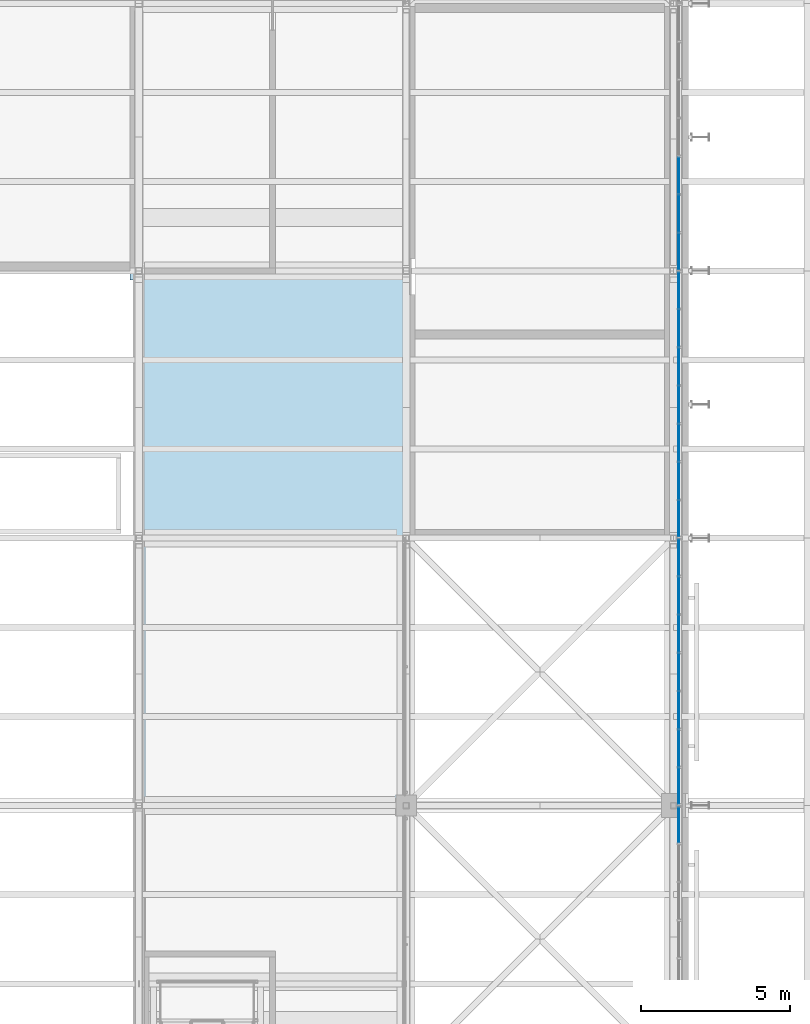
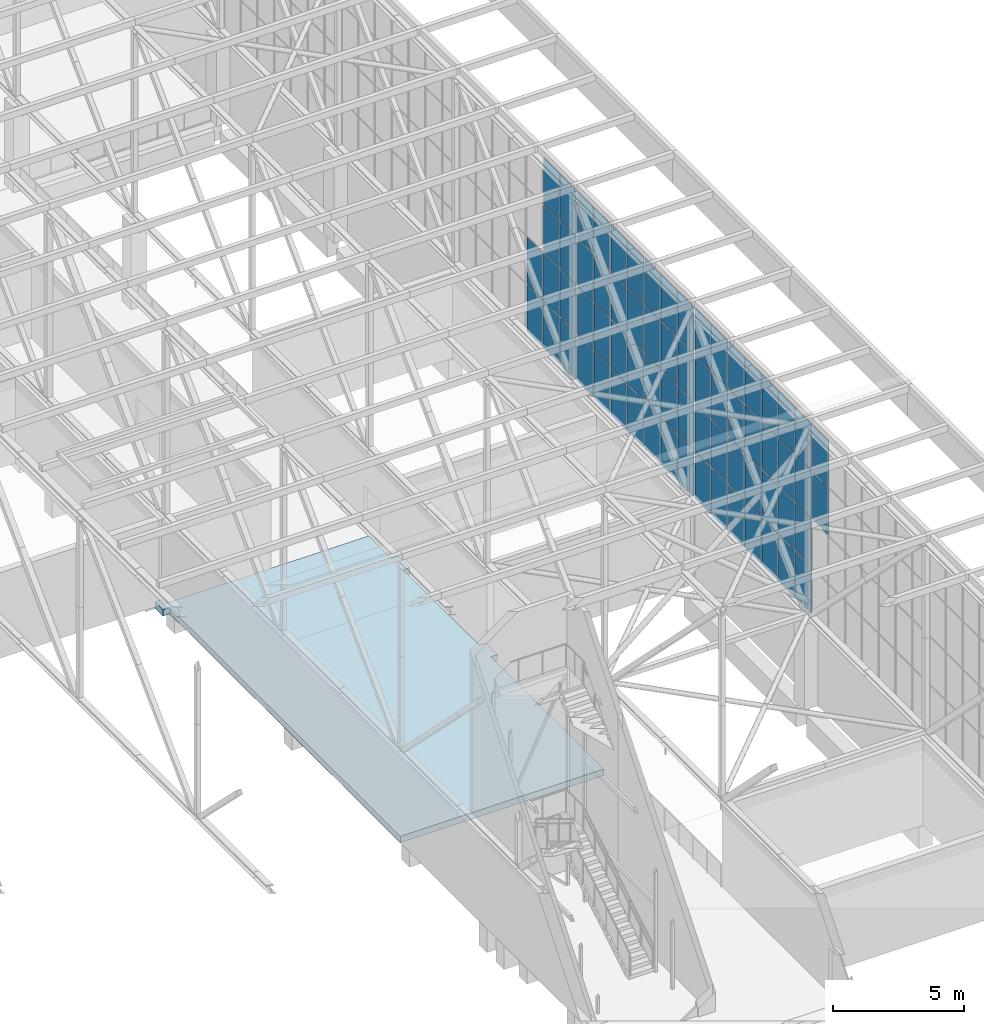
# One storey, part 156 of 646: 68 plates, 1 slab, 4 elements without a shape of their own.
"""IFC4 building model written with IfcOpenShell, lengths in metres."""

from ifc_helpers import new_model, si_unit, direction, frame, origin, origin_2d, place, context, subcontext, project, spatial, polyline, rectangle, outline, extrude, material, layer, layer_set, type_object, element, aggregate, save


model = new_model("IFC4")

# Units and contexts
model_context = context("Model", 3, precision=1e-05, world=origin(), true_north=direction((0.0, 1.0)))
body_context = subcontext(model_context, "Body", "Model", "MODEL_VIEW")
ifc_project = project(units=[si_unit("LENGTHUNIT", "METRE"), si_unit("AREAUNIT", "SQUARE_METRE"), si_unit("VOLUMEUNIT", "CUBIC_METRE"), si_unit("PLANEANGLEUNIT", "RADIAN"), si_unit("MASSUNIT", "GRAM", prefix="KILO")], contexts=[model_context])

# Site, building, storey
site_placement = place(None, origin())
site = spatial("IfcSite", under=ifc_project, at=site_placement, CompositionType="ELEMENT")
building_placement = place(site_placement, origin())
building = spatial("IfcBuilding", under=site, at=building_placement, Name="Silverbay Arena", CompositionType="ELEMENT")
storey_placement = place(building_placement, frame((0.0, 0.0, 33.5)))
storey = spatial("IfcBuildingStorey", under=building, at=storey_placement, Name="L05", CompositionType="ELEMENT", Elevation=33.5)

# Curtain wall, plates
ifc_material_1 = material(Name="Aluminium framed glazing", Category="aluminium")
curtain_wall_type = type_object("IfcCurtainWallType", Name="Curtain wall clerestory 9000 x 9000", PredefinedType="NOTDEFINED", material=ifc_material_1)
curtain_wall_1_placement = place(storey_placement, origin())
curtain_wall_1 = element("IfcCurtainWall", 1, at=curtain_wall_1_placement, inside=storey, type_object=curtain_wall_type, Name="ROOF GABLE CLERESTORY CURTAIN WALL east bay 08", PredefinedType="NOTDEFINED")
ifc_material_2 = material(Name="Laminated glass", Category="glass")
ifc_layer_1 = layer(ifc_material_2, 0.028076171875)
ifc_layer_set_1 = layer_set([ifc_layer_1], Name="Laminated glass")
plate_type = type_object("IfcPlateType", Name="Glass panel 28", PredefinedType="CURTAIN_PANEL", material=ifc_layer_set_1)
plate_1_placement = place(storey_placement, frame((207.179931640625, 80.342041015625, 8.52490234375), z_axis=(0.0, 0.0, 1.0), x_axis=(0.0, 1.0, 0.0)))
plate_1 = element("IfcPlate", 2, at=plate_1_placement, type_object=plate_type, Name="CW60 panel 7.3", PredefinedType="CURTAIN_PANEL", context=body_context, shape_type="SweptSolid", body=[
    extrude(rectangle(XDim=1.19580078125, YDim=0.028076171875, at=origin_2d()), origin(), (0.0, 0.0, 1.0), 2.199951171875),
])
plate_2_placement = place(storey_placement, frame((207.179931640625, 80.342041015625, 10.77490234375), z_axis=(0.0, 0.0, 1.0), x_axis=(0.0, 1.0, 0.0)))
plate_2 = element("IfcPlate", 3, at=plate_2_placement, type_object=plate_type, Name="CW60 panel 7.4", PredefinedType="CURTAIN_PANEL", context=body_context, shape_type="SweptSolid", body=[
    extrude(rectangle(XDim=1.19580078125, YDim=0.028076171875, at=origin_2d()), origin(), (0.0, 0.0, 1.0), 2.175048828125),
])
aggregate(curtain_wall_1, [plate_1, plate_2])

curtain_wall_2_placement = place(storey_placement, origin())
curtain_wall_2 = element("IfcCurtainWall", 4, at=curtain_wall_2_placement, inside=storey, type_object=curtain_wall_type, Name="ROOF GABLE CLERESTORY CURTAIN WALL east bay 09", PredefinedType="NOTDEFINED")
plate_3_placement = place(storey_placement, frame((207.179931640625, 81.657958984375, 4.0498046875), z_axis=(0.0, 0.0, 1.0), x_axis=(0.0, 1.0, 0.0)))
plate_3 = element("IfcPlate", 5, at=plate_3_placement, type_object=plate_type, Name="CW60 panel 1.1", PredefinedType="CURTAIN_PANEL", context=body_context, shape_type="SweptSolid", body=[
    extrude(rectangle(XDim=1.19580078125, YDim=0.028076171875, at=origin_2d()), origin(), (0.0, 0.0, 1.0), 2.175048828125),
])
plate_4_placement = place(storey_placement, frame((207.179931640625, 81.657958984375, 6.27490234375), z_axis=(0.0, 0.0, 1.0), x_axis=(0.0, 1.0, 0.0)))
plate_4 = element("IfcPlate", 6, at=plate_4_placement, type_object=plate_type, Name="CW60 panel 1.2", PredefinedType="CURTAIN_PANEL", context=body_context, shape_type="SweptSolid", body=[
    extrude(rectangle(XDim=1.19580078125, YDim=0.028076171875, at=origin_2d()), origin(), (0.0, 0.0, 1.0), 2.199951171875),
])
plate_5_placement = place(storey_placement, frame((207.179931640625, 81.657958984375, 8.52490234375), z_axis=(0.0, 0.0, 1.0), x_axis=(0.0, 1.0, 0.0)))
plate_5 = element("IfcPlate", 7, at=plate_5_placement, type_object=plate_type, Name="CW60 panel 1.3", PredefinedType="CURTAIN_PANEL", context=body_context, shape_type="SweptSolid", body=[
    extrude(rectangle(XDim=1.19580078125, YDim=0.028076171875, at=origin_2d()), origin(), (0.0, 0.0, 1.0), 2.199951171875),
])
plate_6_placement = place(storey_placement, frame((207.179931640625, 81.657958984375, 10.77490234375), z_axis=(0.0, 0.0, 1.0), x_axis=(0.0, 1.0, 0.0)))
plate_6 = element("IfcPlate", 8, at=plate_6_placement, type_object=plate_type, Name="CW60 panel 1.4", PredefinedType="CURTAIN_PANEL", context=body_context, shape_type="SweptSolid", body=[
    extrude(rectangle(XDim=1.19580078125, YDim=0.028076171875, at=origin_2d()), origin(), (0.0, 0.0, 1.0), 2.175048828125),
])
plate_7_placement = place(storey_placement, frame((207.179931640625, 82.928466796875, 4.0498046875), z_axis=(0.0, 0.0, 1.0), x_axis=(0.0, 1.0, 0.0)))
plate_7 = element("IfcPlate", 9, at=plate_7_placement, type_object=plate_type, Name="CW60 panel 2.1", PredefinedType="CURTAIN_PANEL", context=body_context, shape_type="SweptSolid", body=[
    extrude(rectangle(XDim=1.225830078125, YDim=0.028076171875, at=origin_2d()), origin(), (0.0, 0.0, 1.0), 2.175048828125),
])
plate_8_placement = place(storey_placement, frame((207.179931640625, 82.928466796875, 6.27490234375), z_axis=(0.0, 0.0, 1.0), x_axis=(0.0, 1.0, 0.0)))
plate_8 = element("IfcPlate", 10, at=plate_8_placement, type_object=plate_type, Name="CW60 panel 2.2", PredefinedType="CURTAIN_PANEL", context=body_context, shape_type="SweptSolid", body=[
    extrude(rectangle(XDim=1.225830078125, YDim=0.028076171875, at=origin_2d()), origin(), (0.0, 0.0, 1.0), 2.199951171875),
])
plate_9_placement = place(storey_placement, frame((207.179931640625, 82.928466796875, 8.52490234375), z_axis=(0.0, 0.0, 1.0), x_axis=(0.0, 1.0, 0.0)))
plate_9 = element("IfcPlate", 11, at=plate_9_placement, type_object=plate_type, Name="CW60 panel 2.3", PredefinedType="CURTAIN_PANEL", context=body_context, shape_type="SweptSolid", body=[
    extrude(rectangle(XDim=1.225830078125, YDim=0.028076171875, at=origin_2d()), origin(), (0.0, 0.0, 1.0), 2.199951171875),
])
plate_10_placement = place(storey_placement, frame((207.179931640625, 82.928466796875, 10.77490234375), z_axis=(0.0, 0.0, 1.0), x_axis=(0.0, 1.0, 0.0)))
plate_10 = element("IfcPlate", 12, at=plate_10_placement, type_object=plate_type, Name="CW60 panel 2.4", PredefinedType="CURTAIN_PANEL", context=body_context, shape_type="SweptSolid", body=[
    extrude(rectangle(XDim=1.225830078125, YDim=0.028076171875, at=origin_2d()), origin(), (0.0, 0.0, 1.0), 2.175048828125),
])
plate_11_placement = place(storey_placement, frame((207.179931640625, 84.21435546875, 4.0498046875), z_axis=(0.0, 0.0, 1.0), x_axis=(0.0, 1.0, 0.0)))
plate_11 = element("IfcPlate", 13, at=plate_11_placement, type_object=plate_type, Name="CW60 panel 3.1", PredefinedType="CURTAIN_PANEL", context=body_context, shape_type="SweptSolid", body=[
    extrude(rectangle(XDim=1.225830078125, YDim=0.028076171875, at=origin_2d()), origin(), (0.0, 0.0, 1.0), 2.175048828125),
])
plate_12_placement = place(storey_placement, frame((207.179931640625, 84.21435546875, 6.27490234375), z_axis=(0.0, 0.0, 1.0), x_axis=(0.0, 1.0, 0.0)))
plate_12 = element("IfcPlate", 14, at=plate_12_placement, type_object=plate_type, Name="CW60 panel 3.2", PredefinedType="CURTAIN_PANEL", context=body_context, shape_type="SweptSolid", body=[
    extrude(rectangle(XDim=1.225830078125, YDim=0.028076171875, at=origin_2d()), origin(), (0.0, 0.0, 1.0), 2.199951171875),
])
plate_13_placement = place(storey_placement, frame((207.179931640625, 84.21435546875, 8.52490234375), z_axis=(0.0, 0.0, 1.0), x_axis=(0.0, 1.0, 0.0)))
plate_13 = element("IfcPlate", 15, at=plate_13_placement, type_object=plate_type, Name="CW60 panel 3.3", PredefinedType="CURTAIN_PANEL", context=body_context, shape_type="SweptSolid", body=[
    extrude(rectangle(XDim=1.225830078125, YDim=0.028076171875, at=origin_2d()), origin(), (0.0, 0.0, 1.0), 2.199951171875),
])
plate_14_placement = place(storey_placement, frame((207.179931640625, 84.21435546875, 10.77490234375), z_axis=(0.0, 0.0, 1.0), x_axis=(0.0, 1.0, 0.0)))
plate_14 = element("IfcPlate", 16, at=plate_14_placement, type_object=plate_type, Name="CW60 panel 3.4", PredefinedType="CURTAIN_PANEL", context=body_context, shape_type="SweptSolid", body=[
    extrude(rectangle(XDim=1.225830078125, YDim=0.028076171875, at=origin_2d()), origin(), (0.0, 0.0, 1.0), 2.175048828125),
])
plate_15_placement = place(storey_placement, frame((207.179931640625, 85.5, 4.0498046875), z_axis=(0.0, 0.0, 1.0), x_axis=(0.0, 1.0, 0.0)))
plate_15 = element("IfcPlate", 17, at=plate_15_placement, type_object=plate_type, Name="CW60 panel 4.1", PredefinedType="CURTAIN_PANEL", context=body_context, shape_type="SweptSolid", body=[
    extrude(rectangle(XDim=1.225830078125, YDim=0.028076171875, at=origin_2d()), origin(), (0.0, 0.0, 1.0), 2.175048828125),
])
plate_16_placement = place(storey_placement, frame((207.179931640625, 85.5, 6.27490234375), z_axis=(0.0, 0.0, 1.0), x_axis=(0.0, 1.0, 0.0)))
plate_16 = element("IfcPlate", 18, at=plate_16_placement, type_object=plate_type, Name="CW60 panel 4.2", PredefinedType="CURTAIN_PANEL", context=body_context, shape_type="SweptSolid", body=[
    extrude(rectangle(XDim=1.225830078125, YDim=0.028076171875, at=origin_2d()), origin(), (0.0, 0.0, 1.0), 2.199951171875),
])
plate_17_placement = place(storey_placement, frame((207.179931640625, 85.5, 8.52490234375), z_axis=(0.0, 0.0, 1.0), x_axis=(0.0, 1.0, 0.0)))
plate_17 = element("IfcPlate", 19, at=plate_17_placement, type_object=plate_type, Name="CW60 panel 4.3", PredefinedType="CURTAIN_PANEL", context=body_context, shape_type="SweptSolid", body=[
    extrude(rectangle(XDim=1.225830078125, YDim=0.028076171875, at=origin_2d()), origin(), (0.0, 0.0, 1.0), 2.199951171875),
])
plate_18_placement = place(storey_placement, frame((207.179931640625, 85.5, 10.77490234375), z_axis=(0.0, 0.0, 1.0), x_axis=(0.0, 1.0, 0.0)))
plate_18 = element("IfcPlate", 20, at=plate_18_placement, type_object=plate_type, Name="CW60 panel 4.4", PredefinedType="CURTAIN_PANEL", context=body_context, shape_type="SweptSolid", body=[
    extrude(rectangle(XDim=1.225830078125, YDim=0.028076171875, at=origin_2d()), origin(), (0.0, 0.0, 1.0), 2.175048828125),
])
plate_19_placement = place(storey_placement, frame((207.179931640625, 86.78564453125, 4.0498046875), z_axis=(0.0, 0.0, 1.0), x_axis=(0.0, 1.0, 0.0)))
plate_19 = element("IfcPlate", 21, at=plate_19_placement, type_object=plate_type, Name="CW60 panel 5.1", PredefinedType="CURTAIN_PANEL", context=body_context, shape_type="SweptSolid", body=[
    extrude(rectangle(XDim=1.225830078125, YDim=0.028076171875, at=origin_2d()), origin(), (0.0, 0.0, 1.0), 2.175048828125),
])
plate_20_placement = place(storey_placement, frame((207.179931640625, 86.78564453125, 6.27490234375), z_axis=(0.0, 0.0, 1.0), x_axis=(0.0, 1.0, 0.0)))
plate_20 = element("IfcPlate", 22, at=plate_20_placement, type_object=plate_type, Name="CW60 panel 5.2", PredefinedType="CURTAIN_PANEL", context=body_context, shape_type="SweptSolid", body=[
    extrude(rectangle(XDim=1.225830078125, YDim=0.028076171875, at=origin_2d()), origin(), (0.0, 0.0, 1.0), 2.199951171875),
])
plate_21_placement = place(storey_placement, frame((207.179931640625, 86.78564453125, 8.52490234375), z_axis=(0.0, 0.0, 1.0), x_axis=(0.0, 1.0, 0.0)))
plate_21 = element("IfcPlate", 23, at=plate_21_placement, type_object=plate_type, Name="CW60 panel 5.3", PredefinedType="CURTAIN_PANEL", context=body_context, shape_type="SweptSolid", body=[
    extrude(rectangle(XDim=1.225830078125, YDim=0.028076171875, at=origin_2d()), origin(), (0.0, 0.0, 1.0), 2.199951171875),
])
plate_22_placement = place(storey_placement, frame((207.179931640625, 86.78564453125, 10.77490234375), z_axis=(0.0, 0.0, 1.0), x_axis=(0.0, 1.0, 0.0)))
plate_22 = element("IfcPlate", 24, at=plate_22_placement, type_object=plate_type, Name="CW60 panel 5.4", PredefinedType="CURTAIN_PANEL", context=body_context, shape_type="SweptSolid", body=[
    extrude(rectangle(XDim=1.225830078125, YDim=0.028076171875, at=origin_2d()), origin(), (0.0, 0.0, 1.0), 2.175048828125),
])
plate_23_placement = place(storey_placement, frame((207.179931640625, 88.071533203125, 4.0498046875), z_axis=(0.0, 0.0, 1.0), x_axis=(0.0, 1.0, 0.0)))
plate_23 = element("IfcPlate", 25, at=plate_23_placement, type_object=plate_type, Name="CW60 panel 6.1", PredefinedType="CURTAIN_PANEL", context=body_context, shape_type="SweptSolid", body=[
    extrude(rectangle(XDim=1.225830078125, YDim=0.028076171875, at=origin_2d()), origin(), (0.0, 0.0, 1.0), 2.175048828125),
])
plate_24_placement = place(storey_placement, frame((207.179931640625, 88.071533203125, 6.27490234375), z_axis=(0.0, 0.0, 1.0), x_axis=(0.0, 1.0, 0.0)))
plate_24 = element("IfcPlate", 26, at=plate_24_placement, type_object=plate_type, Name="CW60 panel 6.2", PredefinedType="CURTAIN_PANEL", context=body_context, shape_type="SweptSolid", body=[
    extrude(rectangle(XDim=1.225830078125, YDim=0.028076171875, at=origin_2d()), origin(), (0.0, 0.0, 1.0), 2.199951171875),
])
plate_25_placement = place(storey_placement, frame((207.179931640625, 88.071533203125, 8.52490234375), z_axis=(0.0, 0.0, 1.0), x_axis=(0.0, 1.0, 0.0)))
plate_25 = element("IfcPlate", 27, at=plate_25_placement, type_object=plate_type, Name="CW60 panel 6.3", PredefinedType="CURTAIN_PANEL", context=body_context, shape_type="SweptSolid", body=[
    extrude(rectangle(XDim=1.225830078125, YDim=0.028076171875, at=origin_2d()), origin(), (0.0, 0.0, 1.0), 2.199951171875),
])
plate_26_placement = place(storey_placement, frame((207.179931640625, 88.071533203125, 10.77490234375), z_axis=(0.0, 0.0, 1.0), x_axis=(0.0, 1.0, 0.0)))
plate_26 = element("IfcPlate", 28, at=plate_26_placement, type_object=plate_type, Name="CW60 panel 6.4", PredefinedType="CURTAIN_PANEL", context=body_context, shape_type="SweptSolid", body=[
    extrude(rectangle(XDim=1.225830078125, YDim=0.028076171875, at=origin_2d()), origin(), (0.0, 0.0, 1.0), 2.175048828125),
])
plate_27_placement = place(storey_placement, frame((207.179931640625, 89.342041015625, 4.0498046875), z_axis=(0.0, 0.0, 1.0), x_axis=(0.0, 1.0, 0.0)))
plate_27 = element("IfcPlate", 29, at=plate_27_placement, type_object=plate_type, Name="CW60 panel 7.1", PredefinedType="CURTAIN_PANEL", context=body_context, shape_type="SweptSolid", body=[
    extrude(rectangle(XDim=1.19580078125, YDim=0.028076171875, at=origin_2d()), origin(), (0.0, 0.0, 1.0), 2.175048828125),
])
plate_28_placement = place(storey_placement, frame((207.179931640625, 89.342041015625, 6.27490234375), z_axis=(0.0, 0.0, 1.0), x_axis=(0.0, 1.0, 0.0)))
plate_28 = element("IfcPlate", 30, at=plate_28_placement, type_object=plate_type, Name="CW60 panel 7.2", PredefinedType="CURTAIN_PANEL", context=body_context, shape_type="SweptSolid", body=[
    extrude(rectangle(XDim=1.19580078125, YDim=0.028076171875, at=origin_2d()), origin(), (0.0, 0.0, 1.0), 2.199951171875),
])
plate_29_placement = place(storey_placement, frame((207.179931640625, 89.342041015625, 8.52490234375), z_axis=(0.0, 0.0, 1.0), x_axis=(0.0, 1.0, 0.0)))
plate_29 = element("IfcPlate", 31, at=plate_29_placement, type_object=plate_type, Name="CW60 panel 7.3", PredefinedType="CURTAIN_PANEL", context=body_context, shape_type="SweptSolid", body=[
    extrude(rectangle(XDim=1.19580078125, YDim=0.028076171875, at=origin_2d()), origin(), (0.0, 0.0, 1.0), 2.199951171875),
])
plate_30_placement = place(storey_placement, frame((207.179931640625, 89.342041015625, 10.77490234375), z_axis=(0.0, 0.0, 1.0), x_axis=(0.0, 1.0, 0.0)))
plate_30 = element("IfcPlate", 32, at=plate_30_placement, type_object=plate_type, Name="CW60 panel 7.4", PredefinedType="CURTAIN_PANEL", context=body_context, shape_type="SweptSolid", body=[
    extrude(rectangle(XDim=1.19580078125, YDim=0.028076171875, at=origin_2d()), origin(), (0.0, 0.0, 1.0), 2.175048828125),
])
aggregate(curtain_wall_2, [plate_3, plate_4, plate_5, plate_6, plate_7, plate_8, plate_9, plate_10, plate_11, plate_12, plate_13, plate_14, plate_15, plate_16, plate_17, plate_18, plate_19, plate_20, plate_21, plate_22, plate_23, plate_24, plate_25, plate_26, plate_27, plate_28, plate_29, plate_30])

curtain_wall_3_placement = place(storey_placement, origin())
curtain_wall_3 = element("IfcCurtainWall", 33, at=curtain_wall_3_placement, inside=storey, type_object=curtain_wall_type, Name="ROOF GABLE CLERESTORY CURTAIN WALL east bay 10", PredefinedType="NOTDEFINED")
plate_31_placement = place(storey_placement, frame((207.179931640625, 90.657958984375, 4.0498046875), z_axis=(0.0, 0.0, 1.0), x_axis=(0.0, 1.0, 0.0)))
plate_31 = element("IfcPlate", 34, at=plate_31_placement, type_object=plate_type, Name="CW60 panel 1.1", PredefinedType="CURTAIN_PANEL", context=body_context, shape_type="SweptSolid", body=[
    extrude(rectangle(XDim=1.19580078125, YDim=0.028076171875, at=origin_2d()), origin(), (0.0, 0.0, 1.0), 2.175048828125),
])
plate_32_placement = place(storey_placement, frame((207.179931640625, 90.657958984375, 6.27490234375), z_axis=(0.0, 0.0, 1.0), x_axis=(0.0, 1.0, 0.0)))
plate_32 = element("IfcPlate", 35, at=plate_32_placement, type_object=plate_type, Name="CW60 panel 1.2", PredefinedType="CURTAIN_PANEL", context=body_context, shape_type="SweptSolid", body=[
    extrude(rectangle(XDim=1.19580078125, YDim=0.028076171875, at=origin_2d()), origin(), (0.0, 0.0, 1.0), 2.199951171875),
])
plate_33_placement = place(storey_placement, frame((207.179931640625, 90.657958984375, 8.52490234375), z_axis=(0.0, 0.0, 1.0), x_axis=(0.0, 1.0, 0.0)))
plate_33 = element("IfcPlate", 36, at=plate_33_placement, type_object=plate_type, Name="CW60 panel 1.3", PredefinedType="CURTAIN_PANEL", context=body_context, shape_type="SweptSolid", body=[
    extrude(rectangle(XDim=1.19580078125, YDim=0.028076171875, at=origin_2d()), origin(), (0.0, 0.0, 1.0), 2.199951171875),
])
plate_34_placement = place(storey_placement, frame((207.179931640625, 90.657958984375, 10.77490234375), z_axis=(0.0, 0.0, 1.0), x_axis=(0.0, 1.0, 0.0)))
plate_34 = element("IfcPlate", 37, at=plate_34_placement, type_object=plate_type, Name="CW60 panel 1.4", PredefinedType="CURTAIN_PANEL", context=body_context, shape_type="SweptSolid", body=[
    extrude(rectangle(XDim=1.19580078125, YDim=0.028076171875, at=origin_2d()), origin(), (0.0, 0.0, 1.0), 2.175048828125),
])
plate_35_placement = place(storey_placement, frame((207.179931640625, 91.928466796875, 4.0498046875), z_axis=(0.0, 0.0, 1.0), x_axis=(0.0, 1.0, 0.0)))
plate_35 = element("IfcPlate", 38, at=plate_35_placement, type_object=plate_type, Name="CW60 panel 2.1", PredefinedType="CURTAIN_PANEL", context=body_context, shape_type="SweptSolid", body=[
    extrude(rectangle(XDim=1.225830078125, YDim=0.028076171875, at=origin_2d()), origin(), (0.0, 0.0, 1.0), 2.175048828125),
])
plate_36_placement = place(storey_placement, frame((207.179931640625, 91.928466796875, 6.27490234375), z_axis=(0.0, 0.0, 1.0), x_axis=(0.0, 1.0, 0.0)))
plate_36 = element("IfcPlate", 39, at=plate_36_placement, type_object=plate_type, Name="CW60 panel 2.2", PredefinedType="CURTAIN_PANEL", context=body_context, shape_type="SweptSolid", body=[
    extrude(rectangle(XDim=1.225830078125, YDim=0.028076171875, at=origin_2d()), origin(), (0.0, 0.0, 1.0), 2.199951171875),
])
plate_37_placement = place(storey_placement, frame((207.179931640625, 91.928466796875, 8.52490234375), z_axis=(0.0, 0.0, 1.0), x_axis=(0.0, 1.0, 0.0)))
plate_37 = element("IfcPlate", 40, at=plate_37_placement, type_object=plate_type, Name="CW60 panel 2.3", PredefinedType="CURTAIN_PANEL", context=body_context, shape_type="SweptSolid", body=[
    extrude(rectangle(XDim=1.225830078125, YDim=0.028076171875, at=origin_2d()), origin(), (0.0, 0.0, 1.0), 2.199951171875),
])
plate_38_placement = place(storey_placement, frame((207.179931640625, 91.928466796875, 10.77490234375), z_axis=(0.0, 0.0, 1.0), x_axis=(0.0, 1.0, 0.0)))
plate_38 = element("IfcPlate", 41, at=plate_38_placement, type_object=plate_type, Name="CW60 panel 2.4", PredefinedType="CURTAIN_PANEL", context=body_context, shape_type="SweptSolid", body=[
    extrude(rectangle(XDim=1.225830078125, YDim=0.028076171875, at=origin_2d()), origin(), (0.0, 0.0, 1.0), 2.175048828125),
])
plate_39_placement = place(storey_placement, frame((207.179931640625, 93.21435546875, 4.0498046875), z_axis=(0.0, 0.0, 1.0), x_axis=(0.0, 1.0, 0.0)))
plate_39 = element("IfcPlate", 42, at=plate_39_placement, type_object=plate_type, Name="CW60 panel 3.1", PredefinedType="CURTAIN_PANEL", context=body_context, shape_type="SweptSolid", body=[
    extrude(rectangle(XDim=1.225830078125, YDim=0.028076171875, at=origin_2d()), origin(), (0.0, 0.0, 1.0), 2.175048828125),
])
plate_40_placement = place(storey_placement, frame((207.179931640625, 93.21435546875, 6.27490234375), z_axis=(0.0, 0.0, 1.0), x_axis=(0.0, 1.0, 0.0)))
plate_40 = element("IfcPlate", 43, at=plate_40_placement, type_object=plate_type, Name="CW60 panel 3.2", PredefinedType="CURTAIN_PANEL", context=body_context, shape_type="SweptSolid", body=[
    extrude(rectangle(XDim=1.225830078125, YDim=0.028076171875, at=origin_2d()), origin(), (0.0, 0.0, 1.0), 2.199951171875),
])
plate_41_placement = place(storey_placement, frame((207.179931640625, 93.21435546875, 8.52490234375), z_axis=(0.0, 0.0, 1.0), x_axis=(0.0, 1.0, 0.0)))
plate_41 = element("IfcPlate", 44, at=plate_41_placement, type_object=plate_type, Name="CW60 panel 3.3", PredefinedType="CURTAIN_PANEL", context=body_context, shape_type="SweptSolid", body=[
    extrude(rectangle(XDim=1.225830078125, YDim=0.028076171875, at=origin_2d()), origin(), (0.0, 0.0, 1.0), 2.199951171875),
])
plate_42_placement = place(storey_placement, frame((207.179931640625, 93.21435546875, 10.77490234375), z_axis=(0.0, 0.0, 1.0), x_axis=(0.0, 1.0, 0.0)))
plate_42 = element("IfcPlate", 45, at=plate_42_placement, type_object=plate_type, Name="CW60 panel 3.4", PredefinedType="CURTAIN_PANEL", context=body_context, shape_type="SweptSolid", body=[
    extrude(rectangle(XDim=1.225830078125, YDim=0.028076171875, at=origin_2d()), origin(), (0.0, 0.0, 1.0), 2.175048828125),
])
plate_43_placement = place(storey_placement, frame((207.179931640625, 94.5, 4.0498046875), z_axis=(0.0, 0.0, 1.0), x_axis=(0.0, 1.0, 0.0)))
plate_43 = element("IfcPlate", 46, at=plate_43_placement, type_object=plate_type, Name="CW60 panel 4.1", PredefinedType="CURTAIN_PANEL", context=body_context, shape_type="SweptSolid", body=[
    extrude(rectangle(XDim=1.225830078125, YDim=0.028076171875, at=origin_2d()), origin(), (0.0, 0.0, 1.0), 2.175048828125),
])
plate_44_placement = place(storey_placement, frame((207.179931640625, 94.5, 6.27490234375), z_axis=(0.0, 0.0, 1.0), x_axis=(0.0, 1.0, 0.0)))
plate_44 = element("IfcPlate", 47, at=plate_44_placement, type_object=plate_type, Name="CW60 panel 4.2", PredefinedType="CURTAIN_PANEL", context=body_context, shape_type="SweptSolid", body=[
    extrude(rectangle(XDim=1.225830078125, YDim=0.028076171875, at=origin_2d()), origin(), (0.0, 0.0, 1.0), 2.199951171875),
])
plate_45_placement = place(storey_placement, frame((207.179931640625, 94.5, 8.52490234375), z_axis=(0.0, 0.0, 1.0), x_axis=(0.0, 1.0, 0.0)))
plate_45 = element("IfcPlate", 48, at=plate_45_placement, type_object=plate_type, Name="CW60 panel 4.3", PredefinedType="CURTAIN_PANEL", context=body_context, shape_type="SweptSolid", body=[
    extrude(rectangle(XDim=1.225830078125, YDim=0.028076171875, at=origin_2d()), origin(), (0.0, 0.0, 1.0), 2.199951171875),
])
plate_46_placement = place(storey_placement, frame((207.179931640625, 94.5, 10.77490234375), z_axis=(0.0, 0.0, 1.0), x_axis=(0.0, 1.0, 0.0)))
plate_46 = element("IfcPlate", 49, at=plate_46_placement, type_object=plate_type, Name="CW60 panel 4.4", PredefinedType="CURTAIN_PANEL", context=body_context, shape_type="SweptSolid", body=[
    extrude(rectangle(XDim=1.225830078125, YDim=0.028076171875, at=origin_2d()), origin(), (0.0, 0.0, 1.0), 2.175048828125),
])
plate_47_placement = place(storey_placement, frame((207.179931640625, 95.78564453125, 4.0498046875), z_axis=(0.0, 0.0, 1.0), x_axis=(0.0, 1.0, 0.0)))
plate_47 = element("IfcPlate", 50, at=plate_47_placement, type_object=plate_type, Name="CW60 panel 5.1", PredefinedType="CURTAIN_PANEL", context=body_context, shape_type="SweptSolid", body=[
    extrude(rectangle(XDim=1.225830078125, YDim=0.028076171875, at=origin_2d()), origin(), (0.0, 0.0, 1.0), 2.175048828125),
])
plate_48_placement = place(storey_placement, frame((207.179931640625, 95.78564453125, 6.27490234375), z_axis=(0.0, 0.0, 1.0), x_axis=(0.0, 1.0, 0.0)))
plate_48 = element("IfcPlate", 51, at=plate_48_placement, type_object=plate_type, Name="CW60 panel 5.2", PredefinedType="CURTAIN_PANEL", context=body_context, shape_type="SweptSolid", body=[
    extrude(rectangle(XDim=1.225830078125, YDim=0.028076171875, at=origin_2d()), origin(), (0.0, 0.0, 1.0), 2.199951171875),
])
plate_49_placement = place(storey_placement, frame((207.179931640625, 95.78564453125, 8.52490234375), z_axis=(0.0, 0.0, 1.0), x_axis=(0.0, 1.0, 0.0)))
plate_49 = element("IfcPlate", 52, at=plate_49_placement, type_object=plate_type, Name="CW60 panel 5.3", PredefinedType="CURTAIN_PANEL", context=body_context, shape_type="SweptSolid", body=[
    extrude(rectangle(XDim=1.225830078125, YDim=0.028076171875, at=origin_2d()), origin(), (0.0, 0.0, 1.0), 2.199951171875),
])
plate_50_placement = place(storey_placement, frame((207.179931640625, 95.78564453125, 10.77490234375), z_axis=(0.0, 0.0, 1.0), x_axis=(0.0, 1.0, 0.0)))
plate_50 = element("IfcPlate", 53, at=plate_50_placement, type_object=plate_type, Name="CW60 panel 5.4", PredefinedType="CURTAIN_PANEL", context=body_context, shape_type="SweptSolid", body=[
    extrude(rectangle(XDim=1.225830078125, YDim=0.028076171875, at=origin_2d()), origin(), (0.0, 0.0, 1.0), 2.175048828125),
])
plate_51_placement = place(storey_placement, frame((207.179931640625, 97.071533203125, 4.0498046875), z_axis=(0.0, 0.0, 1.0), x_axis=(0.0, 1.0, 0.0)))
plate_51 = element("IfcPlate", 54, at=plate_51_placement, type_object=plate_type, Name="CW60 panel 6.1", PredefinedType="CURTAIN_PANEL", context=body_context, shape_type="SweptSolid", body=[
    extrude(rectangle(XDim=1.225830078125, YDim=0.028076171875, at=origin_2d()), origin(), (0.0, 0.0, 1.0), 2.175048828125),
])
plate_52_placement = place(storey_placement, frame((207.179931640625, 97.071533203125, 6.27490234375), z_axis=(0.0, 0.0, 1.0), x_axis=(0.0, 1.0, 0.0)))
plate_52 = element("IfcPlate", 55, at=plate_52_placement, type_object=plate_type, Name="CW60 panel 6.2", PredefinedType="CURTAIN_PANEL", context=body_context, shape_type="SweptSolid", body=[
    extrude(rectangle(XDim=1.225830078125, YDim=0.028076171875, at=origin_2d()), origin(), (0.0, 0.0, 1.0), 2.199951171875),
])
plate_53_placement = place(storey_placement, frame((207.179931640625, 97.071533203125, 8.52490234375), z_axis=(0.0, 0.0, 1.0), x_axis=(0.0, 1.0, 0.0)))
plate_53 = element("IfcPlate", 56, at=plate_53_placement, type_object=plate_type, Name="CW60 panel 6.3", PredefinedType="CURTAIN_PANEL", context=body_context, shape_type="SweptSolid", body=[
    extrude(rectangle(XDim=1.225830078125, YDim=0.028076171875, at=origin_2d()), origin(), (0.0, 0.0, 1.0), 2.199951171875),
])
plate_54_placement = place(storey_placement, frame((207.179931640625, 97.071533203125, 10.77490234375), z_axis=(0.0, 0.0, 1.0), x_axis=(0.0, 1.0, 0.0)))
plate_54 = element("IfcPlate", 57, at=plate_54_placement, type_object=plate_type, Name="CW60 panel 6.4", PredefinedType="CURTAIN_PANEL", context=body_context, shape_type="SweptSolid", body=[
    extrude(rectangle(XDim=1.225830078125, YDim=0.028076171875, at=origin_2d()), origin(), (0.0, 0.0, 1.0), 2.175048828125),
])
plate_55_placement = place(storey_placement, frame((207.179931640625, 98.342041015625, 4.0498046875), z_axis=(0.0, 0.0, 1.0), x_axis=(0.0, 1.0, 0.0)))
plate_55 = element("IfcPlate", 58, at=plate_55_placement, type_object=plate_type, Name="CW60 panel 7.1", PredefinedType="CURTAIN_PANEL", context=body_context, shape_type="SweptSolid", body=[
    extrude(rectangle(XDim=1.19580078125, YDim=0.028076171875, at=origin_2d()), origin(), (0.0, 0.0, 1.0), 2.175048828125),
])
plate_56_placement = place(storey_placement, frame((207.179931640625, 98.342041015625, 6.27490234375), z_axis=(0.0, 0.0, 1.0), x_axis=(0.0, 1.0, 0.0)))
plate_56 = element("IfcPlate", 59, at=plate_56_placement, type_object=plate_type, Name="CW60 panel 7.2", PredefinedType="CURTAIN_PANEL", context=body_context, shape_type="SweptSolid", body=[
    extrude(rectangle(XDim=1.19580078125, YDim=0.028076171875, at=origin_2d()), origin(), (0.0, 0.0, 1.0), 2.199951171875),
])
plate_57_placement = place(storey_placement, frame((207.179931640625, 98.342041015625, 8.52490234375), z_axis=(0.0, 0.0, 1.0), x_axis=(0.0, 1.0, 0.0)))
plate_57 = element("IfcPlate", 60, at=plate_57_placement, type_object=plate_type, Name="CW60 panel 7.3", PredefinedType="CURTAIN_PANEL", context=body_context, shape_type="SweptSolid", body=[
    extrude(rectangle(XDim=1.19580078125, YDim=0.028076171875, at=origin_2d()), origin(), (0.0, 0.0, 1.0), 2.199951171875),
])
plate_58_placement = place(storey_placement, frame((207.179931640625, 98.342041015625, 10.77490234375), z_axis=(0.0, 0.0, 1.0), x_axis=(0.0, 1.0, 0.0)))
plate_58 = element("IfcPlate", 61, at=plate_58_placement, type_object=plate_type, Name="CW60 panel 7.4", PredefinedType="CURTAIN_PANEL", context=body_context, shape_type="SweptSolid", body=[
    extrude(rectangle(XDim=1.19580078125, YDim=0.028076171875, at=origin_2d()), origin(), (0.0, 0.0, 1.0), 2.175048828125),
])
aggregate(curtain_wall_3, [plate_31, plate_32, plate_33, plate_34, plate_35, plate_36, plate_37, plate_38, plate_39, plate_40, plate_41, plate_42, plate_43, plate_44, plate_45, plate_46, plate_47, plate_48, plate_49, plate_50, plate_51, plate_52, plate_53, plate_54, plate_55, plate_56, plate_57, plate_58])

curtain_wall_4_placement = place(storey_placement, origin())
curtain_wall_4 = element("IfcCurtainWall", 62, at=curtain_wall_4_placement, inside=storey, type_object=curtain_wall_type, Name="ROOF GABLE CLERESTORY CURTAIN WALL east bay 11", PredefinedType="NOTDEFINED")
plate_59_placement = place(storey_placement, frame((207.179931640625, 99.657958984375, 4.0498046875), z_axis=(0.0, 0.0, 1.0), x_axis=(0.0, 1.0, 0.0)))
plate_59 = element("IfcPlate", 63, at=plate_59_placement, type_object=plate_type, Name="CW60 panel 1.1", PredefinedType="CURTAIN_PANEL", context=body_context, shape_type="SweptSolid", body=[
    extrude(rectangle(XDim=1.19580078125, YDim=0.028076171875, at=origin_2d()), origin(), (0.0, 0.0, 1.0), 2.175048828125),
])
plate_60_placement = place(storey_placement, frame((207.179931640625, 99.657958984375, 6.27490234375), z_axis=(0.0, 0.0, 1.0), x_axis=(0.0, 1.0, 0.0)))
plate_60 = element("IfcPlate", 64, at=plate_60_placement, type_object=plate_type, Name="CW60 panel 1.2", PredefinedType="CURTAIN_PANEL", context=body_context, shape_type="SweptSolid", body=[
    extrude(rectangle(XDim=1.19580078125, YDim=0.028076171875, at=origin_2d()), origin(), (0.0, 0.0, 1.0), 2.199951171875),
])
plate_61_placement = place(storey_placement, frame((207.179931640625, 99.657958984375, 8.52490234375), z_axis=(0.0, 0.0, 1.0), x_axis=(0.0, 1.0, 0.0)))
plate_61 = element("IfcPlate", 65, at=plate_61_placement, type_object=plate_type, Name="CW60 panel 1.3", PredefinedType="CURTAIN_PANEL", context=body_context, shape_type="SweptSolid", body=[
    extrude(rectangle(XDim=1.19580078125, YDim=0.028076171875, at=origin_2d()), origin(), (0.0, 0.0, 1.0), 2.199951171875),
])
plate_62_placement = place(storey_placement, frame((207.179931640625, 99.657958984375, 10.77490234375), z_axis=(0.0, 0.0, 1.0), x_axis=(0.0, 1.0, 0.0)))
plate_62 = element("IfcPlate", 66, at=plate_62_placement, type_object=plate_type, Name="CW60 panel 1.4", PredefinedType="CURTAIN_PANEL", context=body_context, shape_type="SweptSolid", body=[
    extrude(rectangle(XDim=1.19580078125, YDim=0.028076171875, at=origin_2d()), origin(), (0.0, 0.0, 1.0), 2.175048828125),
])
plate_63_placement = place(storey_placement, frame((207.179931640625, 100.928466796875, 4.0498046875), z_axis=(0.0, 0.0, 1.0), x_axis=(0.0, 1.0, 0.0)))
plate_63 = element("IfcPlate", 67, at=plate_63_placement, type_object=plate_type, Name="CW60 panel 2.1", PredefinedType="CURTAIN_PANEL", context=body_context, shape_type="SweptSolid", body=[
    extrude(rectangle(XDim=1.225830078125, YDim=0.028076171875, at=origin_2d()), origin(), (0.0, 0.0, 1.0), 2.175048828125),
])
plate_64_placement = place(storey_placement, frame((207.179931640625, 100.928466796875, 6.27490234375), z_axis=(0.0, 0.0, 1.0), x_axis=(0.0, 1.0, 0.0)))
plate_64 = element("IfcPlate", 68, at=plate_64_placement, type_object=plate_type, Name="CW60 panel 2.2", PredefinedType="CURTAIN_PANEL", context=body_context, shape_type="SweptSolid", body=[
    extrude(rectangle(XDim=1.225830078125, YDim=0.028076171875, at=origin_2d()), origin(), (0.0, 0.0, 1.0), 2.199951171875),
])
plate_65_placement = place(storey_placement, frame((207.179931640625, 100.928466796875, 8.52490234375), z_axis=(0.0, 0.0, 1.0), x_axis=(0.0, 1.0, 0.0)))
plate_65 = element("IfcPlate", 69, at=plate_65_placement, type_object=plate_type, Name="CW60 panel 2.3", PredefinedType="CURTAIN_PANEL", context=body_context, shape_type="SweptSolid", body=[
    extrude(rectangle(XDim=1.225830078125, YDim=0.028076171875, at=origin_2d()), origin(), (0.0, 0.0, 1.0), 2.199951171875),
])
plate_66_placement = place(storey_placement, frame((207.179931640625, 100.928466796875, 10.77490234375), z_axis=(0.0, 0.0, 1.0), x_axis=(0.0, 1.0, 0.0)))
plate_66 = element("IfcPlate", 70, at=plate_66_placement, type_object=plate_type, Name="CW60 panel 2.4", PredefinedType="CURTAIN_PANEL", context=body_context, shape_type="SweptSolid", body=[
    extrude(rectangle(XDim=1.225830078125, YDim=0.028076171875, at=origin_2d()), origin(), (0.0, 0.0, 1.0), 2.175048828125),
])
plate_67_placement = place(storey_placement, frame((207.179931640625, 102.21435546875, 4.0498046875), z_axis=(0.0, 0.0, 1.0), x_axis=(0.0, 1.0, 0.0)))
plate_67 = element("IfcPlate", 71, at=plate_67_placement, type_object=plate_type, Name="CW60 panel 3.1", PredefinedType="CURTAIN_PANEL", context=body_context, shape_type="SweptSolid", body=[
    extrude(rectangle(XDim=1.225830078125, YDim=0.028076171875, at=origin_2d()), origin(), (0.0, 0.0, 1.0), 2.175048828125),
])
plate_68_placement = place(storey_placement, frame((207.179931640625, 102.21435546875, 6.27490234375), z_axis=(0.0, 0.0, 1.0), x_axis=(0.0, 1.0, 0.0)))
plate_68 = element("IfcPlate", 72, at=plate_68_placement, type_object=plate_type, Name="CW60 panel 3.2", PredefinedType="CURTAIN_PANEL", context=body_context, shape_type="SweptSolid", body=[
    extrude(rectangle(XDim=1.225830078125, YDim=0.028076171875, at=origin_2d()), origin(), (0.0, 0.0, 1.0), 2.199951171875),
])
aggregate(curtain_wall_4, [plate_59, plate_60, plate_61, plate_62, plate_63, plate_64, plate_65, plate_66, plate_67, plate_68])

# Slab
ifc_material_3 = material(Name="Concrete Grade C45", Category="concrete")
ifc_layer_2 = layer(ifc_material_3, 0.300048828125)
ifc_layer_set_2 = layer_set([ifc_layer_2], Name="Concrete Grade C45")
slab_type = type_object("IfcSlabType", Name="RC floor slab 300", PredefinedType="FLOOR", material=ifc_layer_set_2)
slab_placement = place(storey_placement, frame((0.0, 0.0, -0.300048828125)))
element("IfcSlab", 73, at=slab_placement, inside=storey, type_object=slab_type, Name="Floor slab L05 unit 7 B", PredefinedType="FLOOR", context=body_context, shape_type="SweptSolid", body=[
    extrude(outline(polyline([(188.699951171875, 99.324951171875), (189.0, 99.324951171875), (189.0, 99.02490234375), (198.0, 99.02490234375), (198.0, 97.300048828125), (198.300048828125, 97.300048828125), (198.300048828125, 96.39990234375), (198.0, 96.39990234375), (198.0, 90.60009765625), (198.300048828125, 90.60009765625), (198.300048828125, 89.699951171875), (198.0, 89.699951171875), (198.0, 81.050048828125), (189.0, 81.050048828125), (189.0, 98.699951171875), (188.699951171875, 98.699951171875), (188.699951171875, 99.324951171875)])), origin(), (0.0, 0.0, 1.0), 0.300048828125),
])

save(model, "model.ifc")
